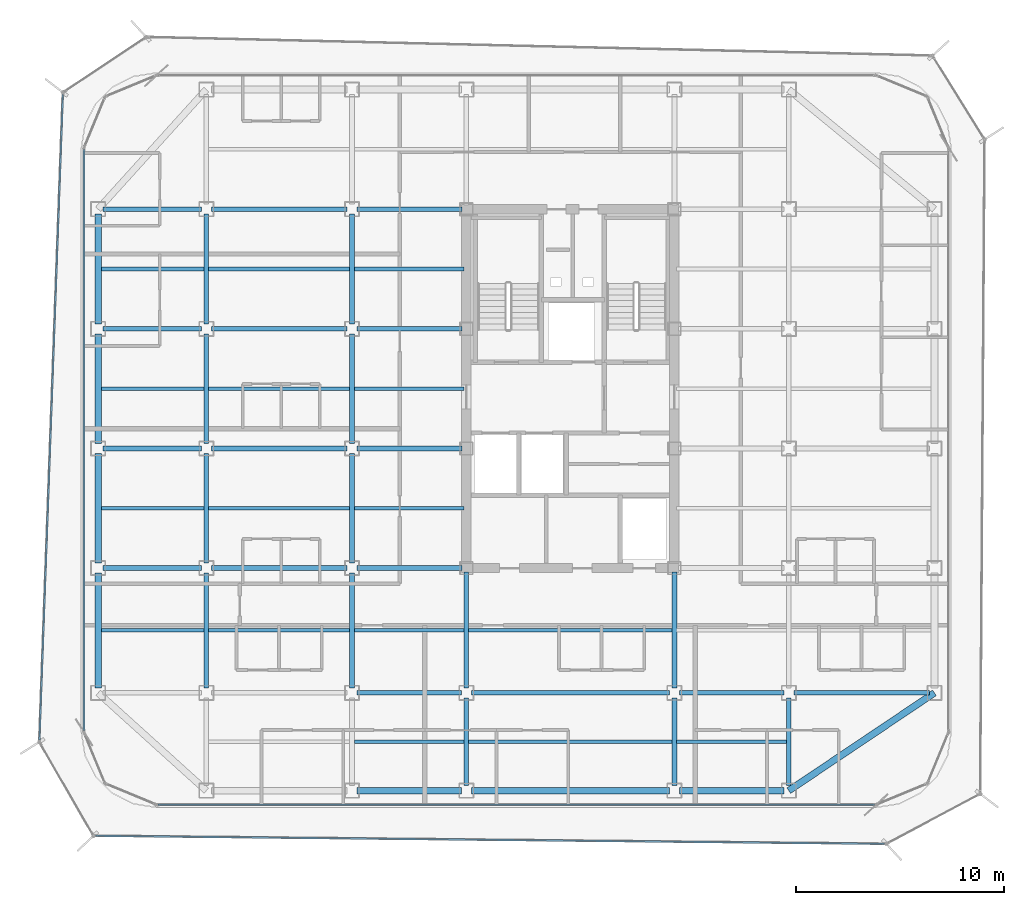
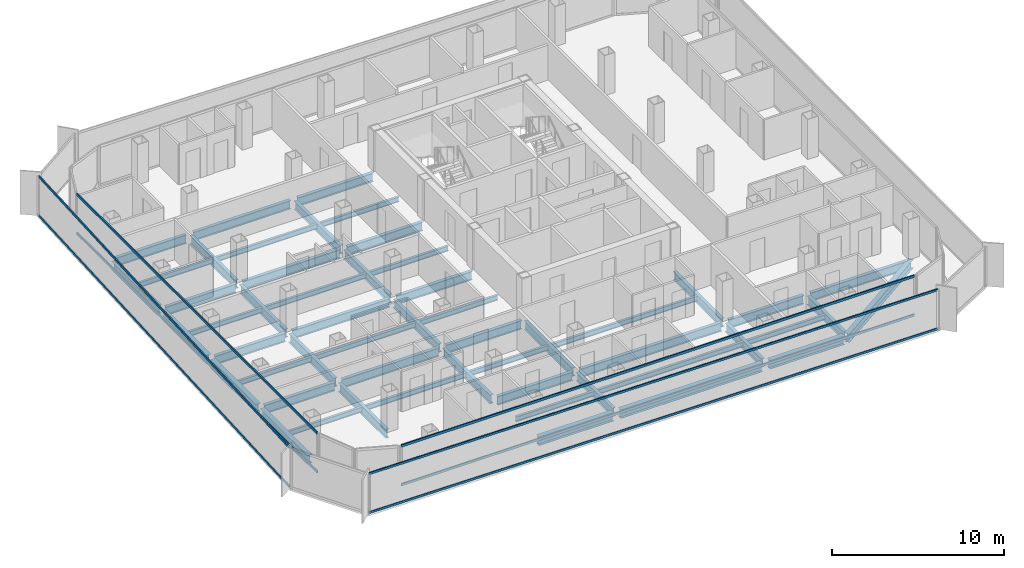
# One storey, part 3 of 16: 53 beams, 8 members, 4 elements without a shape of their own.
"""IFC4 building model written with IfcOpenShell, lengths in metres."""

import ifcopenshell
import ifcopenshell.guid

model = None  # the IFC model being written
_history = None  # IfcOwnerHistory: only IFC2X3 demands one
_inside = {}  # id of a spatial element -> (the spatial element, [elements in it])
_under = {}  # id of a project, library or spatial element -> (it, [spatial elements below it])
_declared = {}  # id of a project -> (the project, [libraries it declares])
_typed = {}  # id of a type object -> (the type object, [elements of that type])
_made_of = {}  # id of a material, layer set ... -> (it, [elements and type objects made of it])


def new_model(schema):
    """Start an empty IFC model of exactly this schema.

    Asked for "IFC4X3", IfcOpenShell would pick the latest addendum, in which some entities
    have other attributes; the version numbers below select the first issue.
    IFC2X3 requires an IfcOwnerHistory on every rooted entity: one is made here for all.
    """
    global model, _history
    if schema == "IFC4X3":
        model = ifcopenshell.file(schema_version=(4, 3, 0, 0))
    else:
        model = ifcopenshell.file(schema=schema)
    _inside.clear()
    _under.clear()
    _declared.clear()
    _typed.clear()
    _made_of.clear()
    _history = None
    if model.schema == "IFC2X3":
        org = make("IfcOrganization", Name="unknown")
        user = make(
            "IfcPersonAndOrganization",
            ThePerson=make("IfcPerson", FamilyName="unknown"),
            TheOrganization=org,
        )
        app = make(
            "IfcApplication",
            ApplicationDeveloper=org,
            Version="unknown",
            ApplicationFullName="unknown",
            ApplicationIdentifier="unknown",
        )
        _history = make(
            "IfcOwnerHistory",
            OwningUser=user,
            OwningApplication=app,
            ChangeAction="ADDED",
            CreationDate=0,
        )
    return model


def make(cls, **values):
    """One entity of the class cls with the attributes given. An attribute that is None is left unset."""
    return model.create_entity(
        cls, **{name: value for name, value in values.items() if value is not None}
    )


def rooted(cls, **values):
    """An entity with a GlobalId (a new one), such as an element, a storey or a relation."""
    return make(cls, GlobalId=ifcopenshell.guid.new(), OwnerHistory=_history, **values)


def si_unit(unit_type, name, prefix=None):
    """IfcSIUnit, for example si_unit("LENGTHUNIT", "METRE", prefix="MILLI")."""
    return make("IfcSIUnit", UnitType=unit_type, Prefix=prefix, Name=name)


def assignment(units):
    """IfcUnitAssignment: the units of a project."""
    return None if units is None else make("IfcUnitAssignment", Units=units)


def point(xyz):
    """IfcCartesianPoint."""
    return None if xyz is None else make("IfcCartesianPoint", Coordinates=xyz)


def direction(xyz):
    """IfcDirection."""
    return None if xyz is None else make("IfcDirection", DirectionRatios=xyz)


def frame(location, z_axis=None, x_axis=None):
    """IfcAxis2Placement3D, a coordinate frame: its origin and axes. An axis left out is left unset."""
    return make(
        "IfcAxis2Placement3D",
        Location=point(location),
        Axis=direction(z_axis),
        RefDirection=direction(x_axis),
    )


def frame_2d(location, x_axis=None):
    """IfcAxis2Placement2D, a coordinate frame in the plane: its origin and x axis."""
    return make(
        "IfcAxis2Placement2D", Location=point(location), RefDirection=direction(x_axis)
    )


def origin():
    """The frame at (0, 0, 0) with its axes left unset."""
    return frame((0.0, 0.0, 0.0))


def origin_2d():
    """The frame at (0, 0) in the plane with its x axis left unset."""
    return frame_2d((0.0, 0.0))


def place(relative_to, where):
    """IfcLocalPlacement: puts the frame where relative to a parent placement (None: the world)."""
    return make(
        "IfcLocalPlacement", PlacementRelTo=relative_to, RelativePlacement=where
    )


def context(
    kind, dimensions, precision=None, world=None, true_north=None, identifier=None
):
    """IfcGeometricRepresentationContext, for example the 3D "Model" context."""
    return make(
        "IfcGeometricRepresentationContext",
        ContextIdentifier=identifier,
        ContextType=kind,
        CoordinateSpaceDimension=dimensions,
        Precision=precision,
        WorldCoordinateSystem=world,
        TrueNorth=true_north,
    )


def subcontext(parent, identifier, kind, view, scale=None):
    """IfcGeometricRepresentationSubContext, for example "Body" below "Model"."""
    return make(
        "IfcGeometricRepresentationSubContext",
        ContextIdentifier=identifier,
        ContextType=kind,
        ParentContext=parent,
        TargetScale=scale,
        TargetView=view,
    )


def project(units=None, contexts=None):
    """IfcProject with its units and contexts."""
    return rooted(
        "IfcProject",
        Name="project",
        RepresentationContexts=contexts,
        UnitsInContext=assignment(units),
    )


def spatial(cls, under=None, at=None, **own):
    """A site, building, storey or space (cls), placed at a placement, below another one or the project."""
    s = rooted(cls, ObjectPlacement=at, **own)
    if under is not None:
        _under.setdefault(under.id(), (under, []))[1].append(s)
    return s


def profile(cls, at=None, kind="AREA", **sizes):
    """A parametric profile (cls). Its sizes go by their IFC names, for example OverallWidth=200.0."""
    return make(cls, ProfileType=kind, Position=at, **sizes)


def hollow_rectangle(**sizes):
    """IfcRectangleHollowProfileDef."""
    return profile("IfcRectangleHollowProfileDef", **sizes)


def i_section(**sizes):
    """IfcIShapeProfileDef."""
    return profile("IfcIShapeProfileDef", **sizes)


def extrude(swept, where, along, depth):
    """IfcExtrudedAreaSolid: the profile swept, set in the frame where, extruded along a direction by depth."""
    return make(
        "IfcExtrudedAreaSolid",
        SweptArea=swept,
        Position=where,
        ExtrudedDirection=direction(along),
        Depth=depth,
    )


def shape(context_of_items, identifier, shape_type, items):
    """IfcShapeRepresentation: the items that make up one representation, for example the "Body"."""
    return make(
        "IfcShapeRepresentation",
        ContextOfItems=context_of_items,
        RepresentationIdentifier=identifier,
        RepresentationType=shape_type,
        Items=items,
    )


def source(mapping_origin, context_of_items, identifier, shape_type, items):
    """IfcRepresentationMap: a shape defined once, which mapped items show again and again."""
    return make(
        "IfcRepresentationMap",
        MappingOrigin=mapping_origin,
        MappedRepresentation=shape(context_of_items, identifier, shape_type, items),
    )


def transform(
    local_origin,
    x_axis=None,
    y_axis=None,
    z_axis=None,
    scale=None,
    scale2=None,
    scale3=None,
    uniform=True,
):
    """IfcCartesianTransformationOperator3D, or its non-uniform kind. x_axis, y_axis, z_axis: its Axis1, 2, 3."""
    if uniform:
        return make(
            "IfcCartesianTransformationOperator3D",
            Axis1=direction(x_axis),
            Axis2=direction(y_axis),
            LocalOrigin=point(local_origin),
            Scale=scale,
            Axis3=direction(z_axis),
        )
    return make(
        "IfcCartesianTransformationOperator3DnonUniform",
        Axis1=direction(x_axis),
        Axis2=direction(y_axis),
        LocalOrigin=point(local_origin),
        Scale=scale,
        Axis3=direction(z_axis),
        Scale2=scale2,
        Scale3=scale3,
    )


def mapped(mapping_source, mapping_target):
    """IfcMappedItem: shows the shape of a source again, moved by a transform."""
    return make(
        "IfcMappedItem", MappingSource=mapping_source, MappingTarget=mapping_target
    )


def material(Name=None, Category=None):
    """IfcMaterial."""
    return make("IfcMaterial", Name=Name, Category=Category)


def layer(
    of_material, thickness, ventilated=None, Name=None, Category=None, Priority=None
):
    """IfcMaterialLayer: one layer of a wall or slab, of a material (None: an air gap)."""
    return make(
        "IfcMaterialLayer",
        Material=of_material,
        LayerThickness=thickness,
        IsVentilated=ventilated,
        Name=Name,
        Category=Category,
        Priority=Priority,
    )


def layer_set(layers, Name=None):
    """IfcMaterialLayerSet."""
    return make("IfcMaterialLayerSet", MaterialLayers=layers, LayerSetName=Name)


def material_profile(
    of_material, cross_section, Name=None, Category=None, Priority=None
):
    """IfcMaterialProfile: a cross section and its material."""
    return make(
        "IfcMaterialProfile",
        Name=Name,
        Material=of_material,
        Profile=cross_section,
        Priority=Priority,
        Category=Category,
    )


def profile_set(profiles, Name=None, composite=None):
    """IfcMaterialProfileSet."""
    return make(
        "IfcMaterialProfileSet",
        Name=Name,
        MaterialProfiles=profiles,
        CompositeProfile=composite,
    )


def made_of(thing, what):
    """Note that an element or type object is made of a material, layer set ...; save() writes the relation."""
    if what is not None:
        _made_of.setdefault(what.id(), (what, []))[1].append(thing)
    return thing


def type_object(cls, material=None, **own):
    """A type object (cls), such as IfcWallType, which elements share."""
    return made_of(rooted(cls, **own), material)


def element(
    cls,
    number,
    at=None,
    inside=None,
    cuts=None,
    type_object=None,
    material=None,
    context=None,
    identifier="Body",
    shape_type=None,
    held_by="IfcProductDefinitionShape",
    body=None,
    shapes=None,
    **own,
):
    """One element of the class cls, such as IfcWall. Its Tag is "e" and its number.

    at: its placement. inside: the storey or other place that contains it. cuts: it is an
    opening in that element (IfcRelVoidsElement). A single representation is given by context,
    identifier, shape_type and body (its items); several are given by shapes. held_by: the class
    of the entity that holds the representations. save() writes the other relations.
    """
    e = rooted(cls, Tag="e%d" % number, ObjectPlacement=at, **own)
    if body is not None:
        shapes = [shape(context, identifier, shape_type, body)]
    if shapes is not None:
        e.Representation = make(held_by, Representations=shapes)
    if inside is not None:
        _inside.setdefault(inside.id(), (inside, []))[1].append(e)
    if cuts is not None:
        rooted(
            "IfcRelVoidsElement", RelatingBuildingElement=cuts, RelatedOpeningElement=e
        )
    if type_object is not None:
        _typed.setdefault(type_object.id(), (type_object, []))[1].append(e)
    return made_of(e, material)


def aggregate(whole, parts):
    """IfcRelAggregates: a whole, such as a stair, and the parts it consists of."""
    return rooted("IfcRelAggregates", RelatingObject=whole, RelatedObjects=parts)


def save(model, path):
    """Write the relations noted so far, then the file.

    IfcRelAggregates (storeys below a building ...), IfcRelContainedInSpatialStructure (elements
    in a storey), IfcRelDefinesByType, IfcRelAssociatesMaterial and IfcRelDeclares: one each for
    every whole, place, type object, material and project.
    """
    for whole, parts in _under.values():
        aggregate(whole, parts)
    for where, things in _inside.values():
        rooted(
            "IfcRelContainedInSpatialStructure",
            RelatedElements=things,
            RelatingStructure=where,
        )
    for kind, things in _typed.values():
        rooted("IfcRelDefinesByType", RelatedObjects=things, RelatingType=kind)
    for what, things in _made_of.values():
        rooted("IfcRelAssociatesMaterial", RelatedObjects=things, RelatingMaterial=what)
    for by, libraries in _declared.values():
        rooted("IfcRelDeclares", RelatingContext=by, RelatedDefinitions=libraries)
    model.write(path)


model = new_model("IFC4")

# Units and contexts
model_context = context("Model", 3, precision=1e-05, world=origin(), true_north=direction((0.0, 1.0)))
body_context = subcontext(model_context, "Body", "Model", "MODEL_VIEW")
ifc_project = project(units=[si_unit("LENGTHUNIT", "METRE"), si_unit("AREAUNIT", "SQUARE_METRE"), si_unit("VOLUMEUNIT", "CUBIC_METRE"), si_unit("PLANEANGLEUNIT", "RADIAN"), si_unit("MASSUNIT", "GRAM", prefix="KILO")], contexts=[model_context])

# Site, building, storey
site_placement = place(None, origin())
site = spatial("IfcSite", under=ifc_project, at=site_placement, CompositionType="ELEMENT")
building_placement = place(site_placement, origin())
building = spatial("IfcBuilding", under=site, at=building_placement, Name="Kolveth Station Tower", CompositionType="ELEMENT")
storey_placement = place(building_placement, frame((0.0, 0.0, 212.39990234375)))
storey = spatial("IfcBuildingStorey", under=building, at=storey_placement, Name="L60", CompositionType="ELEMENT", Elevation=212.39990234375)

# Beams
ifc_material_1 = material(Name="Steel S355", Category="steel")
ifc_material_profile_1 = material_profile(ifc_material_1, i_section(OverallWidth=0.323974609375, OverallDepth=0.611083984375, WebThickness=0.0126953125, FlangeThickness=0.01904296875, at=origin_2d()), Name="W610x155")
ifc_profile_set_1 = profile_set([ifc_material_profile_1], Name="Steel S355")
beam_type_1 = type_object("IfcBeamType", Name="Beam_SP2", PredefinedType="SPANDREL", material=ifc_profile_set_1)
shared_shape_1 = source(origin(), body_context, "Body", "SweptSolid", [
    extrude(i_section(OverallWidth=0.323974609375, OverallDepth=0.611083984375, WebThickness=0.0126953125, FlangeThickness=0.01904296875, at=origin_2d()), origin(), (0.0, 0.0, 1.0), 5.02001953125),
])
for number, where, z_axis, x_axis, name in (
    (1, (13.239990234375, 0.800048828125, -0.555419921875), (1.0, 0.0, 0.0), (0.0, 1.0, 0.0), "L60 Perimeter Spandrel BM-L60-PS-2"),
    (2, (28.739990234375, 0.800048828125, -0.555419921875), (1.0, 0.0, 0.0), (0.0, 1.0, 0.0), "L60 Perimeter Spandrel BM-L60-PS-4"),
):
    element("IfcBeam", number, at=place(storey_placement, frame(where, z_axis=z_axis, x_axis=x_axis)), inside=storey, type_object=beam_type_1, Name=name, PredefinedType="SPANDREL", context=body_context, shape_type="MappedRepresentation", body=[
        mapped(shared_shape_1, transform((0.0, 0.0, 0.0), x_axis=(1.0, 0.0, 0.0), y_axis=(0.0, 1.0, 0.0), z_axis=(0.0, 0.0, 1.0), scale=1.0)),
    ])
shared_shape_2 = source(origin(), body_context, "Body", "SweptSolid", [
    extrude(i_section(OverallWidth=0.323974609375, OverallDepth=0.611083984375, WebThickness=0.0126953125, FlangeThickness=0.01904296875, at=origin_2d()), origin(), (0.0, 0.0, 1.0), 9.52001953125),
])
beam_1_placement = place(storey_placement, frame((18.739990234375, 0.800048828125, -0.555419921875), z_axis=(1.0, 0.0, 0.0), x_axis=(0.0, 1.0, 0.0)))
element("IfcBeam", 3, at=beam_1_placement, inside=storey, type_object=beam_type_1, Name="L60 Perimeter Spandrel BM-L60-PS-3", PredefinedType="SPANDREL", context=body_context, shape_type="MappedRepresentation", body=[
    mapped(shared_shape_2, transform((0.0, 0.0, 0.0), x_axis=(1.0, 0.0, 0.0), y_axis=(0.0, 1.0, 0.0), z_axis=(0.0, 0.0, 1.0), scale=1.0)),
])
shared_shape_3 = source(origin(), body_context, "Body", "SweptSolid", [
    extrude(i_section(OverallWidth=0.323974609375, OverallDepth=0.611083984375, WebThickness=0.0126953125, FlangeThickness=0.01904296875, at=origin_2d()), origin(), (0.0, 0.0, 1.0), 5.52001953125),
])
beam_2_placement = place(storey_placement, frame((0.800048828125, 5.739990234375, -0.555419921875), z_axis=(0.0, 1.0, 0.0), x_axis=(-1.0, 0.0, 0.0)))
element("IfcBeam", 4, at=beam_2_placement, inside=storey, type_object=beam_type_1, Name="L60 Perimeter Spandrel BM-L60-PW-1", PredefinedType="SPANDREL", context=body_context, shape_type="MappedRepresentation", body=[
    mapped(shared_shape_3, transform((0.0, 0.0, 0.0), x_axis=(1.0, 0.0, 0.0), y_axis=(0.0, 1.0, 0.0), z_axis=(0.0, 0.0, 1.0), scale=1.0)),
])
shared_shape_4 = source(origin(), body_context, "Body", "SweptSolid", [
    extrude(i_section(OverallWidth=0.323974609375, OverallDepth=0.611083984375, WebThickness=0.0126953125, FlangeThickness=0.01904296875, at=origin_2d()), origin(), (0.0, 0.0, 1.0), 5.27001953125),
])
for number, where, z_axis, x_axis, name in (
    (5, (0.800048828125, 11.739990234375, -0.555419921875), (0.0, 1.0, 0.0), (-1.0, 0.0, 0.0), "L60 Perimeter Spandrel BM-L60-PW-2"),
    (6, (0.800048828125, 17.489990234375, -0.555419921875), (0.0, 1.0, 0.0), (-1.0, 0.0, 0.0), "L60 Perimeter Spandrel BM-L60-PW-3"),
    (7, (0.800048828125, 23.239990234375, -0.555419921875), (0.0, 1.0, 0.0), (-1.0, 0.0, 0.0), "L60 Perimeter Spandrel BM-L60-PW-4"),
):
    element("IfcBeam", number, at=place(storey_placement, frame(where, z_axis=z_axis, x_axis=x_axis)), inside=storey, type_object=beam_type_1, Name=name, PredefinedType="SPANDREL", context=body_context, shape_type="MappedRepresentation", body=[
        mapped(shared_shape_4, transform((0.0, 0.0, 0.0), x_axis=(1.0, 0.0, 0.0), y_axis=(0.0, 1.0, 0.0), z_axis=(0.0, 0.0, 1.0), scale=1.0)),
    ])
shared_shape_5 = source(origin(), body_context, "Body", "SweptSolid", [
    extrude(i_section(OverallWidth=0.323974609375, OverallDepth=0.611083984375, WebThickness=0.0126953125, FlangeThickness=0.01904296875, at=origin_2d()), origin(), (0.0, 0.0, 1.0), 8.431396484375),
])
beam_3_placement = place(storey_placement, frame((34.0, 0.800048828125, -0.555419921875), z_axis=(0.830223811004, 0.557430196206, 0.0), x_axis=(-0.557430196206, 0.830223811004, 0.0)))
element("IfcBeam", 8, at=beam_3_placement, inside=storey, type_object=beam_type_1, Name="L60 Corner Edge Girder BM-L60-CNR-SE", PredefinedType="SPANDREL", context=body_context, shape_type="MappedRepresentation", body=[
    mapped(shared_shape_5, transform((0.0, 0.0, 0.0), x_axis=(1.0, 0.0, 0.0), y_axis=(0.0, 1.0, 0.0), z_axis=(0.0, 0.0, 1.0), scale=1.0)),
])
ifc_material_profile_2 = material_profile(ifc_material_1, i_section(OverallWidth=0.22900390625, OverallDepth=0.612060546875, WebThickness=0.011962890625, FlangeThickness=0.01953125, at=origin_2d()), Name="W610x125")
ifc_profile_set_2 = profile_set([ifc_material_profile_2], Name="Steel S355")
beam_type_2 = type_object("IfcBeamType", Name="Beam_B5", PredefinedType="BEAM", material=ifc_profile_set_2)
shared_shape_6 = source(origin(), body_context, "Body", "SweptSolid", [
    extrude(i_section(OverallWidth=0.22900390625, OverallDepth=0.612060546875, WebThickness=0.011962890625, FlangeThickness=0.01953125, at=origin_2d()), origin(), (0.0, 0.0, 1.0), 4.719970703125),
])
for number, where, z_axis, x_axis, name in (
    (9, (1.0400390625, 11.5, -0.555908203125), (1.0, 0.0, 0.0), (0.0, 1.0, 0.0), "L60 Primary Girder BM-L60-GY115-1"),
    (10, (1.0400390625, 17.25, -0.555908203125), (1.0, 0.0, 0.0), (0.0, 1.0, 0.0), "L60 Primary Girder BM-L60-GY172-1"),
    (11, (1.0400390625, 23.0, -0.555908203125), (1.0, 0.0, 0.0), (0.0, 1.0, 0.0), "L60 Primary Girder BM-L60-GY230-1"),
    (12, (1.0400390625, 28.75, -0.555908203125), (1.0, 0.0, 0.0), (0.0, 1.0, 0.0), "L60 Primary Girder BM-L60-GY287-1"),
):
    element("IfcBeam", number, at=place(storey_placement, frame(where, z_axis=z_axis, x_axis=x_axis)), inside=storey, type_object=beam_type_2, Name=name, PredefinedType="BEAM", context=body_context, shape_type="MappedRepresentation", body=[
        mapped(shared_shape_6, transform((0.0, 0.0, 0.0), x_axis=(1.0, 0.0, 0.0), y_axis=(0.0, 1.0, 0.0), z_axis=(0.0, 0.0, 1.0), scale=1.0)),
    ])
shared_shape_7 = source(origin(), body_context, "Body", "SweptSolid", [
    extrude(i_section(OverallWidth=0.22900390625, OverallDepth=0.612060546875, WebThickness=0.011962890625, FlangeThickness=0.01953125, at=origin_2d()), origin(), (0.0, 0.0, 1.0), 6.52001953125),
])
for number, where, z_axis, x_axis, name in (
    (13, (34.239990234375, 5.5, -0.555908203125), (1.0, 0.0, 0.0), (0.0, 1.0, 0.0), "L60 Primary Girder BM-L60-GY55-6"),
    (14, (6.239990234375, 11.5, -0.555908203125), (1.0, 0.0, 0.0), (0.0, 1.0, 0.0), "L60 Primary Girder BM-L60-GY115-2"),
    (15, (6.239990234375, 17.25, -0.555908203125), (1.0, 0.0, 0.0), (0.0, 1.0, 0.0), "L60 Primary Girder BM-L60-GY172-2"),
    (16, (6.239990234375, 23.0, -0.555908203125), (1.0, 0.0, 0.0), (0.0, 1.0, 0.0), "L60 Primary Girder BM-L60-GY230-2"),
    (17, (6.239990234375, 28.75, -0.555908203125), (1.0, 0.0, 0.0), (0.0, 1.0, 0.0), "L60 Primary Girder BM-L60-GY287-2"),
):
    element("IfcBeam", number, at=place(storey_placement, frame(where, z_axis=z_axis, x_axis=x_axis)), inside=storey, type_object=beam_type_2, Name=name, PredefinedType="BEAM", context=body_context, shape_type="MappedRepresentation", body=[
        mapped(shared_shape_7, transform((0.0, 0.0, 0.0), x_axis=(1.0, 0.0, 0.0), y_axis=(0.0, 1.0, 0.0), z_axis=(0.0, 0.0, 1.0), scale=1.0)),
    ])
shared_shape_8 = source(origin(), body_context, "Body", "SweptSolid", [
    extrude(i_section(OverallWidth=0.22900390625, OverallDepth=0.612060546875, WebThickness=0.011962890625, FlangeThickness=0.01953125, at=origin_2d()), origin(), (0.0, 0.0, 1.0), 5.02001953125),
])
for number, where, z_axis, x_axis, name in (
    (18, (13.239990234375, 5.5, -0.555908203125), (1.0, 0.0, 0.0), (0.0, 1.0, 0.0), "L60 Primary Girder BM-L60-GY55-3"),
    (19, (28.739990234375, 5.5, -0.555908203125), (1.0, 0.0, 0.0), (0.0, 1.0, 0.0), "L60 Primary Girder BM-L60-GY55-5"),
):
    element("IfcBeam", number, at=place(storey_placement, frame(where, z_axis=z_axis, x_axis=x_axis)), inside=storey, type_object=beam_type_2, Name=name, PredefinedType="BEAM", context=body_context, shape_type="MappedRepresentation", body=[
        mapped(shared_shape_8, transform((0.0, 0.0, 0.0), x_axis=(1.0, 0.0, 0.0), y_axis=(0.0, 1.0, 0.0), z_axis=(0.0, 0.0, 1.0), scale=1.0)),
    ])
shared_shape_9 = source(origin(), body_context, "Body", "SweptSolid", [
    extrude(i_section(OverallWidth=0.22900390625, OverallDepth=0.612060546875, WebThickness=0.011962890625, FlangeThickness=0.01953125, at=origin_2d()), origin(), (0.0, 0.0, 1.0), 9.52001953125),
])
beam_4_placement = place(storey_placement, frame((18.739990234375, 5.5, -0.555908203125), z_axis=(1.0, 0.0, 0.0), x_axis=(0.0, 1.0, 0.0)))
element("IfcBeam", 20, at=beam_4_placement, inside=storey, type_object=beam_type_2, Name="L60 Primary Girder BM-L60-GY55-4", PredefinedType="BEAM", context=body_context, shape_type="MappedRepresentation", body=[
    mapped(shared_shape_9, transform((0.0, 0.0, 0.0), x_axis=(1.0, 0.0, 0.0), y_axis=(0.0, 1.0, 0.0), z_axis=(0.0, 0.0, 1.0), scale=1.0)),
])
shared_shape_10 = source(origin(), body_context, "Body", "SweptSolid", [
    extrude(i_section(OverallWidth=0.22900390625, OverallDepth=0.612060546875, WebThickness=0.011962890625, FlangeThickness=0.01953125, at=origin_2d()), origin(), (0.0, 0.0, 1.0), 5.06005859375),
])
for number, where, z_axis, x_axis, name in (
    (21, (13.239990234375, 11.5, -0.555908203125), (1.0, 0.0, 0.0), (0.0, 1.0, 0.0), "L60 Primary Girder BM-L60-GY115-3"),
    (22, (13.239990234375, 17.25, -0.555908203125), (1.0, 0.0, 0.0), (0.0, 1.0, 0.0), "L60 Primary Girder BM-L60-GY172-3"),
    (23, (13.239990234375, 23.0, -0.555908203125), (1.0, 0.0, 0.0), (0.0, 1.0, 0.0), "L60 Primary Girder BM-L60-GY230-3"),
    (24, (13.239990234375, 28.75, -0.555908203125), (1.0, 0.0, 0.0), (0.0, 1.0, 0.0), "L60 Primary Girder BM-L60-GY287-3"),
):
    element("IfcBeam", number, at=place(storey_placement, frame(where, z_axis=z_axis, x_axis=x_axis)), inside=storey, type_object=beam_type_2, Name=name, PredefinedType="BEAM", context=body_context, shape_type="MappedRepresentation", body=[
        mapped(shared_shape_10, transform((0.0, 0.0, 0.0), x_axis=(1.0, 0.0, 0.0), y_axis=(0.0, 1.0, 0.0), z_axis=(0.0, 0.0, 1.0), scale=1.0)),
    ])
shared_shape_11 = source(origin(), body_context, "Body", "SweptSolid", [
    extrude(i_section(OverallWidth=0.22900390625, OverallDepth=0.612060546875, WebThickness=0.011962890625, FlangeThickness=0.01953125, at=origin_2d()), origin(), (0.0, 0.0, 1.0), 4.219970703125),
])
for number, where, z_axis, x_axis, name in (
    (25, (18.5, 1.0400390625, -0.555908203125), (0.0, 1.0, 0.0), (-1.0, 0.0, 0.0), "L60 Primary Girder BM-L60-GX185-1"),
    (26, (28.5, 1.0400390625, -0.555908203125), (0.0, 1.0, 0.0), (-1.0, 0.0, 0.0), "L60 Primary Girder BM-L60-GX285-1"),
    (27, (34.0, 1.0400390625, -0.555908203125), (0.0, 1.0, 0.0), (-1.0, 0.0, 0.0), "L60 Primary Girder BM-L60-GX340-1"),
):
    element("IfcBeam", number, at=place(storey_placement, frame(where, z_axis=z_axis, x_axis=x_axis)), inside=storey, type_object=beam_type_2, Name=name, PredefinedType="BEAM", context=body_context, shape_type="MappedRepresentation", body=[
        mapped(shared_shape_11, transform((0.0, 0.0, 0.0), x_axis=(1.0, 0.0, 0.0), y_axis=(0.0, 1.0, 0.0), z_axis=(0.0, 0.0, 1.0), scale=1.0)),
    ])
shared_shape_12 = source(origin(), body_context, "Body", "SweptSolid", [
    extrude(i_section(OverallWidth=0.22900390625, OverallDepth=0.612060546875, WebThickness=0.011962890625, FlangeThickness=0.01953125, at=origin_2d()), origin(), (0.0, 0.0, 1.0), 5.52001953125),
])
for number, where, z_axis, x_axis, name in (
    (28, (6.0, 5.739990234375, -0.555908203125), (0.0, 1.0, 0.0), (-1.0, 0.0, 0.0), "L60 Primary Girder BM-L60-GX60-2"),
    (29, (13.0, 5.739990234375, -0.555908203125), (0.0, 1.0, 0.0), (-1.0, 0.0, 0.0), "L60 Primary Girder BM-L60-GX130-2"),
):
    element("IfcBeam", number, at=place(storey_placement, frame(where, z_axis=z_axis, x_axis=x_axis)), inside=storey, type_object=beam_type_2, Name=name, PredefinedType="BEAM", context=body_context, shape_type="MappedRepresentation", body=[
        mapped(shared_shape_12, transform((0.0, 0.0, 0.0), x_axis=(1.0, 0.0, 0.0), y_axis=(0.0, 1.0, 0.0), z_axis=(0.0, 0.0, 1.0), scale=1.0)),
    ])
shared_shape_13 = source(origin(), body_context, "Body", "SweptSolid", [
    extrude(i_section(OverallWidth=0.22900390625, OverallDepth=0.612060546875, WebThickness=0.011962890625, FlangeThickness=0.01953125, at=origin_2d()), origin(), (0.0, 0.0, 1.0), 5.27001953125),
])
for number, where, z_axis, x_axis, name in (
    (30, (6.0, 11.739990234375, -0.555908203125), (0.0, 1.0, 0.0), (-1.0, 0.0, 0.0), "L60 Primary Girder BM-L60-GX60-3"),
    (31, (6.0, 17.489990234375, -0.555908203125), (0.0, 1.0, 0.0), (-1.0, 0.0, 0.0), "L60 Primary Girder BM-L60-GX60-4"),
    (32, (6.0, 23.239990234375, -0.555908203125), (0.0, 1.0, 0.0), (-1.0, 0.0, 0.0), "L60 Primary Girder BM-L60-GX60-5"),
    (33, (13.0, 11.739990234375, -0.555908203125), (0.0, 1.0, 0.0), (-1.0, 0.0, 0.0), "L60 Primary Girder BM-L60-GX130-3"),
    (34, (13.0, 17.489990234375, -0.555908203125), (0.0, 1.0, 0.0), (-1.0, 0.0, 0.0), "L60 Primary Girder BM-L60-GX130-4"),
    (35, (13.0, 23.239990234375, -0.555908203125), (0.0, 1.0, 0.0), (-1.0, 0.0, 0.0), "L60 Primary Girder BM-L60-GX130-5"),
):
    element("IfcBeam", number, at=place(storey_placement, frame(where, z_axis=z_axis, x_axis=x_axis)), inside=storey, type_object=beam_type_2, Name=name, PredefinedType="BEAM", context=body_context, shape_type="MappedRepresentation", body=[
        mapped(shared_shape_13, transform((0.0, 0.0, 0.0), x_axis=(1.0, 0.0, 0.0), y_axis=(0.0, 1.0, 0.0), z_axis=(0.0, 0.0, 1.0), scale=1.0)),
    ])
shared_shape_14 = source(origin(), body_context, "Body", "SweptSolid", [
    extrude(i_section(OverallWidth=0.22900390625, OverallDepth=0.612060546875, WebThickness=0.011962890625, FlangeThickness=0.01953125, at=origin_2d()), origin(), (0.0, 0.0, 1.0), 5.56005859375),
])
for number, where, z_axis, x_axis, name in (
    (36, (18.5, 5.739990234375, -0.555908203125), (0.0, 1.0, 0.0), (-1.0, 0.0, 0.0), "L60 Primary Girder BM-L60-GX185-2"),
    (37, (28.5, 5.739990234375, -0.555908203125), (0.0, 1.0, 0.0), (-1.0, 0.0, 0.0), "L60 Primary Girder BM-L60-GX285-2"),
):
    element("IfcBeam", number, at=place(storey_placement, frame(where, z_axis=z_axis, x_axis=x_axis)), inside=storey, type_object=beam_type_2, Name=name, PredefinedType="BEAM", context=body_context, shape_type="MappedRepresentation", body=[
        mapped(shared_shape_14, transform((0.0, 0.0, 0.0), x_axis=(1.0, 0.0, 0.0), y_axis=(0.0, 1.0, 0.0), z_axis=(0.0, 0.0, 1.0), scale=1.0)),
    ])
ifc_material_profile_3 = material_profile(ifc_material_1, i_section(OverallWidth=0.1708984375, OverallDepth=0.35205078125, WebThickness=0.0068359375, FlangeThickness=0.009765625, at=origin_2d()), Name="W360x44")
ifc_profile_set_3 = profile_set([ifc_material_profile_3], Name="Steel S355")
beam_type_3 = type_object("IfcBeamType", Name="Beam_J2", PredefinedType="JOIST", material=ifc_profile_set_3)
shared_shape_15 = source(origin(), body_context, "Body", "SweptSolid", [
    extrude(i_section(OverallWidth=0.1708984375, OverallDepth=0.35205078125, WebThickness=0.0068359375, FlangeThickness=0.009765625, at=origin_2d()), origin(), (0.0, 0.0, 1.0), 4.927490234375),
])
for number, where, z_axis, x_axis, name in (
    (38, (0.9599609375, 8.5, -0.42578125), (1.0, 0.0, 0.0), (0.0, 1.0, 0.0), "L60 Secondary Joist JST-L60-1-2"),
    (39, (0.9599609375, 14.375, -0.42578125), (1.0, 0.0, 0.0), (0.0, 1.0, 0.0), "L60 Secondary Joist JST-L60-1-3"),
    (40, (0.9599609375, 20.125, -0.42578125), (1.0, 0.0, 0.0), (0.0, 1.0, 0.0), "L60 Secondary Joist JST-L60-1-4"),
    (41, (0.9599609375, 25.875, -0.42578125), (1.0, 0.0, 0.0), (0.0, 1.0, 0.0), "L60 Secondary Joist JST-L60-1-5"),
):
    element("IfcBeam", number, at=place(storey_placement, frame(where, z_axis=z_axis, x_axis=x_axis)), inside=storey, type_object=beam_type_3, Name=name, PredefinedType="JOIST", context=body_context, shape_type="MappedRepresentation", body=[
        mapped(shared_shape_15, transform((0.0, 0.0, 0.0), x_axis=(1.0, 0.0, 0.0), y_axis=(0.0, 1.0, 0.0), z_axis=(0.0, 0.0, 1.0), scale=1.0)),
    ])
shared_shape_16 = source(origin(), body_context, "Body", "SweptSolid", [
    extrude(i_section(OverallWidth=0.1708984375, OverallDepth=0.35205078125, WebThickness=0.0068359375, FlangeThickness=0.009765625, at=origin_2d()), origin(), (0.0, 0.0, 1.0), 6.77490234375),
])
for number, where, z_axis, x_axis, name in (
    (42, (6.112548828125, 8.5, -0.42578125), (1.0, 0.0, 0.0), (0.0, 1.0, 0.0), "L60 Secondary Joist JST-L60-2-2"),
    (43, (6.112548828125, 14.375, -0.42578125), (1.0, 0.0, 0.0), (0.0, 1.0, 0.0), "L60 Secondary Joist JST-L60-2-3"),
    (44, (6.112548828125, 20.125, -0.42578125), (1.0, 0.0, 0.0), (0.0, 1.0, 0.0), "L60 Secondary Joist JST-L60-2-4"),
    (45, (6.112548828125, 25.875, -0.42578125), (1.0, 0.0, 0.0), (0.0, 1.0, 0.0), "L60 Secondary Joist JST-L60-2-5"),
):
    element("IfcBeam", number, at=place(storey_placement, frame(where, z_axis=z_axis, x_axis=x_axis)), inside=storey, type_object=beam_type_3, Name=name, PredefinedType="JOIST", context=body_context, shape_type="MappedRepresentation", body=[
        mapped(shared_shape_16, transform((0.0, 0.0, 0.0), x_axis=(1.0, 0.0, 0.0), y_axis=(0.0, 1.0, 0.0), z_axis=(0.0, 0.0, 1.0), scale=1.0)),
    ])
shared_shape_17 = source(origin(), body_context, "Body", "SweptSolid", [
    extrude(i_section(OverallWidth=0.1708984375, OverallDepth=0.35205078125, WebThickness=0.0068359375, FlangeThickness=0.009765625, at=origin_2d()), origin(), (0.0, 0.0, 1.0), 5.27490234375),
])
for number, where, z_axis, x_axis, name in (
    (46, (13.112548828125, 3.14990234375, -0.42578125), (1.0, 0.0, 0.0), (0.0, 1.0, 0.0), "L60 Secondary Joist JST-L60-3-1"),
    (47, (13.112548828125, 8.5, -0.42578125), (1.0, 0.0, 0.0), (0.0, 1.0, 0.0), "L60 Secondary Joist JST-L60-3-2"),
    (48, (13.112548828125, 14.375, -0.42578125), (1.0, 0.0, 0.0), (0.0, 1.0, 0.0), "L60 Secondary Joist JST-L60-3-3"),
    (49, (13.112548828125, 20.125, -0.42578125), (1.0, 0.0, 0.0), (0.0, 1.0, 0.0), "L60 Secondary Joist JST-L60-3-4"),
    (50, (13.112548828125, 25.875, -0.42578125), (1.0, 0.0, 0.0), (0.0, 1.0, 0.0), "L60 Secondary Joist JST-L60-3-5"),
    (51, (28.612548828125, 3.14990234375, -0.42578125), (1.0, 0.0, 0.0), (0.0, 1.0, 0.0), "L60 Secondary Joist JST-L60-5-1"),
):
    element("IfcBeam", number, at=place(storey_placement, frame(where, z_axis=z_axis, x_axis=x_axis)), inside=storey, type_object=beam_type_3, Name=name, PredefinedType="JOIST", context=body_context, shape_type="MappedRepresentation", body=[
        mapped(shared_shape_17, transform((0.0, 0.0, 0.0), x_axis=(1.0, 0.0, 0.0), y_axis=(0.0, 1.0, 0.0), z_axis=(0.0, 0.0, 1.0), scale=1.0)),
    ])
shared_shape_18 = source(origin(), body_context, "Body", "SweptSolid", [
    extrude(i_section(OverallWidth=0.1708984375, OverallDepth=0.35205078125, WebThickness=0.0068359375, FlangeThickness=0.009765625, at=origin_2d()), origin(), (0.0, 0.0, 1.0), 9.77490234375),
])
for number, where, z_axis, x_axis, name in (
    (52, (18.612548828125, 3.14990234375, -0.42578125), (1.0, 0.0, 0.0), (0.0, 1.0, 0.0), "L60 Secondary Joist JST-L60-4-1"),
    (53, (18.612548828125, 8.5, -0.42578125), (1.0, 0.0, 0.0), (0.0, 1.0, 0.0), "L60 Secondary Joist JST-L60-4-2"),
):
    element("IfcBeam", number, at=place(storey_placement, frame(where, z_axis=z_axis, x_axis=x_axis)), inside=storey, type_object=beam_type_3, Name=name, PredefinedType="JOIST", context=body_context, shape_type="MappedRepresentation", body=[
        mapped(shared_shape_18, transform((0.0, 0.0, 0.0), x_axis=(1.0, 0.0, 0.0), y_axis=(0.0, 1.0, 0.0), z_axis=(0.0, 0.0, 1.0), scale=1.0)),
    ])

# Curtain wall, members
ifc_material_2 = material(Name="Aluminium 6063-T6 and low-E dark glass", Category="aluminium")
ifc_layer_1 = layer(ifc_material_2, 0.18994140625)
ifc_layer_set_1 = layer_set([ifc_layer_1], Name="Aluminium 6063-T6 and low-E dark glass")
curtain_wall_type_1 = type_object("IfcCurtainWallType", Name="CurtainWall_CW-Z2", PredefinedType="NOTDEFINED", material=ifc_layer_set_1)
curtain_wall_1_placement = place(storey_placement, origin())
curtain_wall_1 = element("IfcCurtainWall", 54, at=curtain_wall_1_placement, inside=storey, type_object=curtain_wall_type_1, Name="L60 Inner Thermal Curtain Wall 9", PredefinedType="NOTDEFINED")
ifc_material_3 = material(Name="Black anodized aluminium 6063-T6", Category="aluminium")
ifc_material_profile_4 = material_profile(ifc_material_3, hollow_rectangle(XDim=0.080078125, YDim=0.169921875, WallThickness=0.0048828125, at=origin_2d()), Name="ALU-80x170x5")
ifc_profile_set_4 = profile_set([ifc_material_profile_4], Name="Black anodized aluminium 6063-T6")
member_type_1 = type_object("IfcMemberType", Name="Transom_TR2", PredefinedType="USERDEFINED", material=ifc_profile_set_4)
shared_shape_19 = source(origin(), body_context, "Body", "SweptSolid", [
    extrude(hollow_rectangle(XDim=0.080078125, YDim=0.169921875, WallThickness=0.0048828125, at=origin_2d()), origin(), (0.0, 0.0, 1.0), 27.940185546875),
])
member_1_placement = place(storey_placement, frame((0.1201171875, 31.6201171875, 0.0400390625), z_axis=(0.0, -1.0, 0.0), x_axis=(1.0, 0.0, 0.0)))
member_1 = element("IfcMember", 55, at=member_1_placement, type_object=member_type_1, Name="CW-Z2 transom 1.1", ObjectType="TRANSOM", PredefinedType="USERDEFINED", context=body_context, shape_type="MappedRepresentation", body=[
    mapped(shared_shape_19, transform((0.0, 0.0, 0.0), x_axis=(1.0, 0.0, 0.0), y_axis=(0.0, 1.0, 0.0), z_axis=(0.0, 0.0, 1.0), scale=1.0)),
])
member_2_placement = place(storey_placement, frame((0.1201171875, 31.6201171875, 2.800048828125), z_axis=(0.0, -1.0, 0.0), x_axis=(1.0, 0.0, 0.0)))
member_2 = element("IfcMember", 56, at=member_2_placement, type_object=member_type_1, Name="CW-Z2 transom 1.2", ObjectType="TRANSOM", PredefinedType="USERDEFINED", context=body_context, shape_type="MappedRepresentation", body=[
    mapped(shared_shape_19, transform((0.0, 0.0, 0.0), x_axis=(1.0, 0.0, 0.0), y_axis=(0.0, 1.0, 0.0), z_axis=(0.0, 0.0, 1.0), scale=1.0)),
])
aggregate(curtain_wall_1, [member_1, member_2])

curtain_wall_2_placement = place(storey_placement, origin())
curtain_wall_2 = element("IfcCurtainWall", 57, at=curtain_wall_2_placement, inside=storey, type_object=curtain_wall_type_1, Name="L60 Inner Thermal Curtain Wall 12", PredefinedType="NOTDEFINED")
shared_shape_20 = source(origin(), body_context, "Body", "SweptSolid", [
    extrude(hollow_rectangle(XDim=0.080078125, YDim=0.169921875, WallThickness=0.0048828125, at=origin_2d()), origin(), (0.0, 0.0, 1.0), 34.440185546875),
])
member_3_placement = place(storey_placement, frame((3.679931640625, 0.1201171875, 0.0400390625), z_axis=(1.0, 0.0, 0.0), x_axis=(0.0, 1.0, 0.0)))
member_3 = element("IfcMember", 58, at=member_3_placement, type_object=member_type_1, Name="CW-Z2 transom 1.1", ObjectType="TRANSOM", PredefinedType="USERDEFINED", context=body_context, shape_type="MappedRepresentation", body=[
    mapped(shared_shape_20, transform((0.0, 0.0, 0.0), x_axis=(1.0, 0.0, 0.0), y_axis=(0.0, 1.0, 0.0), z_axis=(0.0, 0.0, 1.0), scale=1.0)),
])
member_4_placement = place(storey_placement, frame((3.679931640625, 0.1201171875, 2.800048828125), z_axis=(1.0, 0.0, 0.0), x_axis=(0.0, 1.0, 0.0)))
member_4 = element("IfcMember", 59, at=member_4_placement, type_object=member_type_1, Name="CW-Z2 transom 1.2", ObjectType="TRANSOM", PredefinedType="USERDEFINED", context=body_context, shape_type="MappedRepresentation", body=[
    mapped(shared_shape_20, transform((0.0, 0.0, 0.0), x_axis=(1.0, 0.0, 0.0), y_axis=(0.0, 1.0, 0.0), z_axis=(0.0, 0.0, 1.0), scale=1.0)),
])
aggregate(curtain_wall_2, [member_3, member_4])

ifc_material_4 = material(Name="Black anodized aluminium 6063-T6 and dark solar glass", Category="aluminium")
ifc_layer_2 = layer(ifc_material_4, 0.159912109375)
ifc_layer_set_2 = layer_set([ifc_layer_2], Name="Black anodized aluminium 6063-T6 and dark solar glass")
curtain_wall_type_2 = type_object("IfcCurtainWallType", Name="OUTER SKIN CW-OS", PredefinedType="NOTDEFINED", material=ifc_layer_set_2)
curtain_wall_3_placement = place(storey_placement, origin())
curtain_wall_3 = element("IfcCurtainWall", 60, at=curtain_wall_3_placement, inside=storey, type_object=curtain_wall_type_2, Name="L60 Outer Ventilated Skin Curtain Wall 6", PredefinedType="NOTDEFINED")
ifc_material_profile_5 = material_profile(ifc_material_3, hollow_rectangle(XDim=0.080078125, YDim=0.14990234375, WallThickness=0.0048828125, at=origin_2d()), Name="ALU-80x150x5")
ifc_profile_set_5 = profile_set([ifc_material_profile_5], Name="Black anodized aluminium 6063-T6")
member_type_2 = type_object("IfcMemberType", Name="Transom_TR-OS", PredefinedType="USERDEFINED", material=ifc_profile_set_5)
shared_shape_21 = source(origin(), body_context, "Body", "SweptSolid", [
    extrude(hollow_rectangle(XDim=0.080078125, YDim=0.14990234375, WallThickness=0.0048828125, at=origin_2d()), origin(), (0.0, 0.0, 1.0), 31.05810546875),
])
member_5_placement = place(storey_placement, frame((-0.894287109375, 34.2705078125, 0.0400390625), z_axis=(-0.036293229334, -0.999341183733, 0.0), x_axis=(0.999341183733, -0.036293229334, 0.0)))
member_5 = element("IfcMember", 61, at=member_5_placement, type_object=member_type_2, Name="CW-OS transom 1.1", ObjectType="TRANSOM", PredefinedType="USERDEFINED", context=body_context, shape_type="MappedRepresentation", body=[
    mapped(shared_shape_21, transform((0.0, 0.0, 0.0), x_axis=(1.0, 0.0, 0.0), y_axis=(0.0, 1.0, 0.0), z_axis=(0.0, 0.0, 1.0), scale=1.0)),
])
member_6_placement = place(storey_placement, frame((-0.894287109375, 34.2705078125, 2.800048828125), z_axis=(-0.036293229334, -0.999341183733, 0.0), x_axis=(0.999341183733, -0.036293229334, 0.0)))
member_6 = element("IfcMember", 62, at=member_6_placement, type_object=member_type_2, Name="CW-OS transom 1.2", ObjectType="TRANSOM", PredefinedType="USERDEFINED", context=body_context, shape_type="MappedRepresentation", body=[
    mapped(shared_shape_21, transform((0.0, 0.0, 0.0), x_axis=(1.0, 0.0, 0.0), y_axis=(0.0, 1.0, 0.0), z_axis=(0.0, 0.0, 1.0), scale=1.0)),
])
aggregate(curtain_wall_3, [member_5, member_6])

curtain_wall_4_placement = place(storey_placement, origin())
curtain_wall_4 = element("IfcCurtainWall", 63, at=curtain_wall_4_placement, inside=storey, type_object=curtain_wall_type_2, Name="L60 Outer Ventilated Skin Curtain Wall 8", PredefinedType="NOTDEFINED")
shared_shape_22 = source(origin(), body_context, "Body", "SweptSolid", [
    extrude(hollow_rectangle(XDim=0.080078125, YDim=0.14990234375, WallThickness=0.0048828125, at=origin_2d()), origin(), (0.0, 0.0, 1.0), 37.93505859375),
])
member_7_placement = place(storey_placement, frame((0.6689453125, -1.3720703125, 0.0400390625), z_axis=(0.999948168652, -0.010181355972, 0.0), x_axis=(0.010181355972, 0.999948168652, 0.0)))
member_7 = element("IfcMember", 64, at=member_7_placement, type_object=member_type_2, Name="CW-OS transom 1.1", ObjectType="TRANSOM", PredefinedType="USERDEFINED", context=body_context, shape_type="MappedRepresentation", body=[
    mapped(shared_shape_22, transform((0.0, 0.0, 0.0), x_axis=(1.0, 0.0, 0.0), y_axis=(0.0, 1.0, 0.0), z_axis=(0.0, 0.0, 1.0), scale=1.0)),
])
member_8_placement = place(storey_placement, frame((0.6689453125, -1.3720703125, 2.800048828125), z_axis=(0.999948168652, -0.010181355972, 0.0), x_axis=(0.010181355972, 0.999948168652, 0.0)))
member_8 = element("IfcMember", 65, at=member_8_placement, type_object=member_type_2, Name="CW-OS transom 1.2", ObjectType="TRANSOM", PredefinedType="USERDEFINED", context=body_context, shape_type="MappedRepresentation", body=[
    mapped(shared_shape_22, transform((0.0, 0.0, 0.0), x_axis=(1.0, 0.0, 0.0), y_axis=(0.0, 1.0, 0.0), z_axis=(0.0, 0.0, 1.0), scale=1.0)),
])
aggregate(curtain_wall_4, [member_7, member_8])

save(model, "model.ifc")
